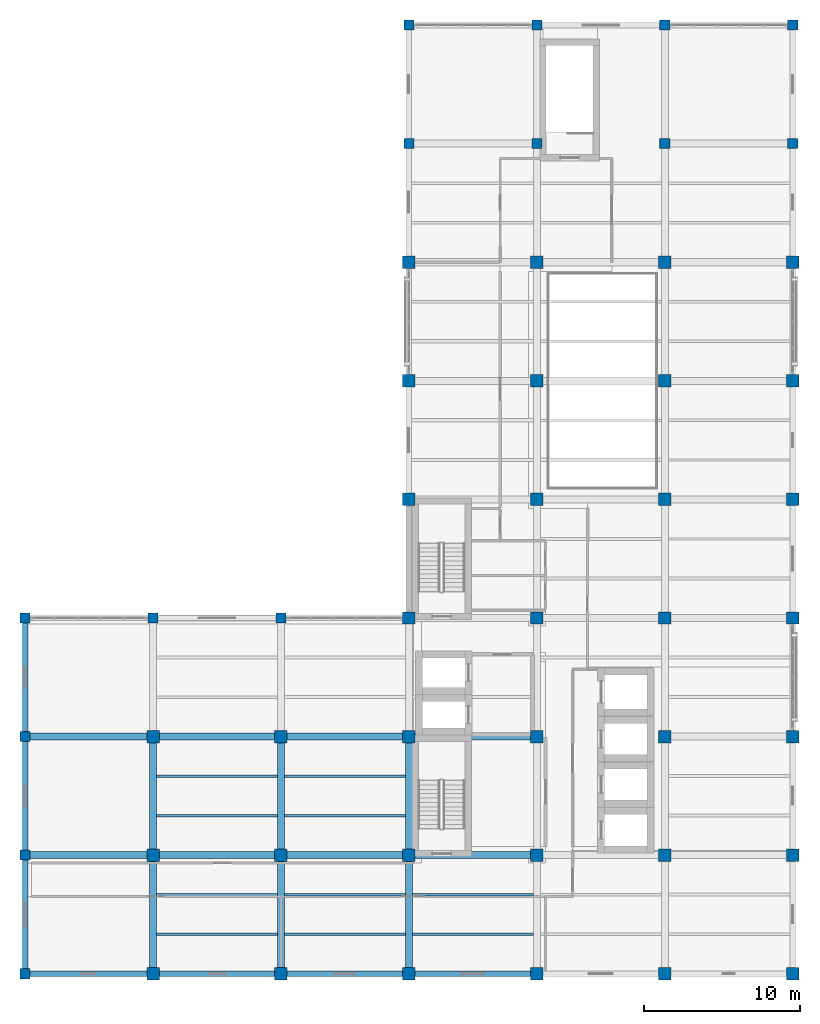
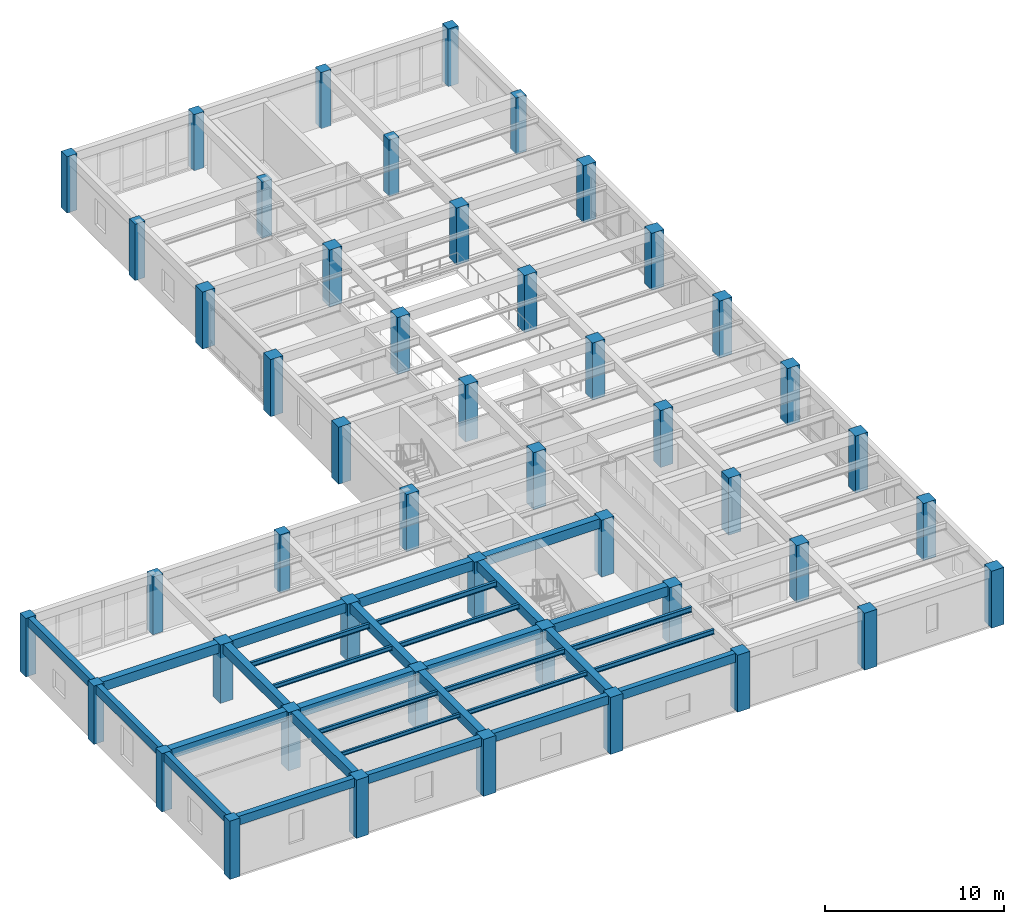
# One storey, part 1 of 15: 48 columns, 31 beams.
"""IFC4 building model written with IfcOpenShell, lengths in metres."""

from ifc_helpers import new_model, si_unit, direction, frame, origin, origin_2d, place, context, subcontext, project, spatial, rectangle, i_section, extrude, material, material_profile, profile_set, type_object, element, save


model = new_model("IFC4")

# Units and contexts
model_context = context("Model", 3, precision=1e-05, world=origin(), true_north=direction((0.0, 1.0)))
body_context = subcontext(model_context, "Body", "Model", "MODEL_VIEW")
ifc_project = project(units=[si_unit("LENGTHUNIT", "METRE"), si_unit("AREAUNIT", "SQUARE_METRE"), si_unit("VOLUMEUNIT", "CUBIC_METRE"), si_unit("PLANEANGLEUNIT", "RADIAN"), si_unit("MASSUNIT", "GRAM", prefix="KILO")], contexts=[model_context])

# Site, building, storey
site_placement = place(None, origin())
site = spatial("IfcSite", under=ifc_project, at=site_placement, CompositionType="ELEMENT")
building_placement = place(site_placement, origin())
building = spatial("IfcBuilding", under=site, at=building_placement, Name="Qandaris Square Conservatory and Botanical Centre", CompositionType="ELEMENT")
storey_placement = place(building_placement, frame((0.0, 0.0, 32.39990234375)))
storey = spatial("IfcBuildingStorey", under=building, at=storey_placement, Name="L07", CompositionType="ELEMENT", Elevation=32.39990234375)

# Columns
ifc_material_1 = material(Name="Concrete C50/60", Category="concrete")
ifc_material_profile_1 = material_profile(ifc_material_1, rectangle(XDim=0.64990234375, YDim=0.64990234375, at=origin_2d()), Name="RC-COL 650x650")
ifc_profile_set_1 = profile_set([ifc_material_profile_1], Name="Concrete C50/60")
column_type_1 = type_object("IfcColumnType", Name="RC Column 650x650", PredefinedType="COLUMN", material=ifc_profile_set_1)
for number, where, z_axis, x_axis, name in (
    (1, (114.60009765625, 16.60009765625, 0.0), (0.0, 0.0, 1.0), (1.0, 0.0, 0.0), "Column B14 (L07)"),
    (2, (114.60009765625, 24.199951171875, 0.0), (0.0, 0.0, 1.0), (1.0, 0.0, 0.0), "Column C14 (L07)"),
    (3, (114.60009765625, 31.800048828125, 0.0), (0.0, 0.0, 1.0), (1.0, 0.0, 0.0), "Column D14 (L07)"),
    (4, (114.60009765625, 39.39990234375, 0.0), (0.0, 0.0, 1.0), (1.0, 0.0, 0.0), "Column E14 (L07)"),
):
    element("IfcColumn", number, at=place(storey_placement, frame(where, z_axis=z_axis, x_axis=x_axis)), inside=storey, type_object=column_type_1, Name=name, PredefinedType="COLUMN", context=body_context, shape_type="SweptSolid", body=[
        extrude(rectangle(XDim=0.64990234375, YDim=0.64990234375, at=origin_2d()), origin(), (0.0, 0.0, 1.0), 3.985107421875),
    ])
for number, where, z_axis, x_axis, name in (
    (5, (122.800048828125, 39.39990234375, 0.0), (0.0, 0.0, 1.0), (1.0, 0.0, 0.0), "Column E15 (L07)"),
    (6, (131.0, 39.39990234375, 0.0), (0.0, 0.0, 1.0), (1.0, 0.0, 0.0), "Column E16 (L07)"),
):
    element("IfcColumn", number, at=place(storey_placement, frame(where, z_axis=z_axis, x_axis=x_axis)), inside=storey, type_object=column_type_1, Name=name, PredefinedType="COLUMN", context=body_context, shape_type="SweptSolid", body=[
        extrude(rectangle(XDim=0.64990234375, YDim=0.64990234375, at=origin_2d()), origin(), (0.0, 0.0, 1.0), 3.945068359375),
    ])
for number, where, z_axis, x_axis, name in (
    (7, (139.199951171875, 69.800048828125, 0.0), (0.0, 0.0, 1.0), (1.0, 0.0, 0.0), "Column J17 (L07)"),
    (8, (139.199951171875, 77.39990234375, 0.0), (0.0, 0.0, 1.0), (1.0, 0.0, 0.0), "Column K17 (L07)"),
    (9, (147.39990234375, 69.800048828125, 0.0), (0.0, 0.0, 1.0), (1.0, 0.0, 0.0), "Column J18 (L07)"),
    (10, (147.39990234375, 77.39990234375, 0.0), (0.0, 0.0, 1.0), (1.0, 0.0, 0.0), "Column K18 (L07)"),
    (11, (155.60009765625, 69.800048828125, 0.0), (0.0, 0.0, 1.0), (1.0, 0.0, 0.0), "Column J19 (L07)"),
    (12, (155.60009765625, 77.39990234375, 0.0), (0.0, 0.0, 1.0), (1.0, 0.0, 0.0), "Column K19 (L07)"),
    (13, (163.800048828125, 69.800048828125, 0.0), (0.0, 0.0, 1.0), (1.0, 0.0, 0.0), "Column J20 (L07)"),
):
    element("IfcColumn", number, at=place(storey_placement, frame(where, z_axis=z_axis, x_axis=x_axis)), inside=storey, type_object=column_type_1, Name=name, PredefinedType="COLUMN", context=body_context, shape_type="SweptSolid", body=[
        extrude(rectangle(XDim=0.64990234375, YDim=0.64990234375, at=origin_2d()), origin(), (0.0, 0.0, 1.0), 3.840087890625),
    ])
column_placement = place(storey_placement, frame((163.800048828125, 77.39990234375, 0.0), z_axis=(0.0, 0.0, 1.0), x_axis=(1.0, 0.0, 0.0)))
element("IfcColumn", 14, at=column_placement, inside=storey, type_object=column_type_1, Name="Column K20 (L07)", PredefinedType="COLUMN", context=body_context, shape_type="SweptSolid", body=[
    extrude(rectangle(XDim=0.64990234375, YDim=0.64990234375, at=origin_2d()), origin(), (0.0, 0.0, 1.0), 3.945068359375),
])
ifc_material_profile_2 = material_profile(ifc_material_1, rectangle(XDim=0.800048828125, YDim=0.800048828125, at=origin_2d()), Name="RC-COL 800x800")
ifc_profile_set_2 = profile_set([ifc_material_profile_2], Name="Concrete C50/60")
column_type_2 = type_object("IfcColumnType", Name="RC Column 800x800", PredefinedType="COLUMN", material=ifc_profile_set_2)
for number, where, z_axis, x_axis, name in (
    (15, (122.800048828125, 16.60009765625, 0.0), (0.0, 0.0, 1.0), (1.0, 0.0, 0.0), "Column B15 (L07)"),
    (16, (122.800048828125, 24.199951171875, 0.0), (0.0, 0.0, 1.0), (1.0, 0.0, 0.0), "Column C15 (L07)"),
    (17, (122.800048828125, 31.800048828125, 0.0), (0.0, 0.0, 1.0), (1.0, 0.0, 0.0), "Column D15 (L07)"),
):
    element("IfcColumn", number, at=place(storey_placement, frame(where, z_axis=z_axis, x_axis=x_axis)), inside=storey, type_object=column_type_2, Name=name, PredefinedType="COLUMN", context=body_context, shape_type="SweptSolid", body=[
        extrude(rectangle(XDim=0.800048828125, YDim=0.800048828125, at=origin_2d()), origin(), (0.0, 0.0, 1.0), 3.985107421875),
    ])
for number, where, z_axis, x_axis, name in (
    (18, (131.0, 16.60009765625, 0.0), (0.0, 0.0, 1.0), (1.0, 0.0, 0.0), "Column B16 (L07)"),
    (19, (131.0, 24.199951171875, 0.0), (0.0, 0.0, 1.0), (1.0, 0.0, 0.0), "Column C16 (L07)"),
    (20, (131.0, 31.800048828125, 0.0), (0.0, 0.0, 1.0), (1.0, 0.0, 0.0), "Column D16 (L07)"),
    (21, (139.199951171875, 16.60009765625, 0.0), (0.0, 0.0, 1.0), (1.0, 0.0, 0.0), "Column B17 (L07)"),
    (22, (139.199951171875, 24.199951171875, 0.0), (0.0, 0.0, 1.0), (1.0, 0.0, 0.0), "Column C17 (L07)"),
    (23, (139.199951171875, 31.800048828125, 0.0), (0.0, 0.0, 1.0), (1.0, 0.0, 0.0), "Column D17 (L07)"),
    (24, (139.199951171875, 39.39990234375, 0.0), (0.0, 0.0, 1.0), (1.0, 0.0, 0.0), "Column E17 (L07)"),
    (25, (139.199951171875, 47.0, 0.0), (0.0, 0.0, 1.0), (1.0, 0.0, 0.0), "Column F17 (L07)"),
    (26, (139.199951171875, 54.60009765625, 0.0), (0.0, 0.0, 1.0), (1.0, 0.0, 0.0), "Column G17 (L07)"),
    (27, (139.199951171875, 62.199951171875, 0.0), (0.0, 0.0, 1.0), (1.0, 0.0, 0.0), "Column H17 (L07)"),
    (28, (147.39990234375, 16.60009765625, 0.0), (0.0, 0.0, 1.0), (1.0, 0.0, 0.0), "Column B18 (L07)"),
    (29, (147.39990234375, 24.199951171875, 0.0), (0.0, 0.0, 1.0), (1.0, 0.0, 0.0), "Column C18 (L07)"),
    (30, (147.39990234375, 31.800048828125, 0.0), (0.0, 0.0, 1.0), (1.0, 0.0, 0.0), "Column D18 (L07)"),
    (31, (147.39990234375, 39.39990234375, 0.0), (0.0, 0.0, 1.0), (1.0, 0.0, 0.0), "Column E18 (L07)"),
    (32, (147.39990234375, 47.0, 0.0), (0.0, 0.0, 1.0), (1.0, 0.0, 0.0), "Column F18 (L07)"),
    (33, (147.39990234375, 54.60009765625, 0.0), (0.0, 0.0, 1.0), (1.0, 0.0, 0.0), "Column G18 (L07)"),
    (34, (147.39990234375, 62.199951171875, 0.0), (0.0, 0.0, 1.0), (1.0, 0.0, 0.0), "Column H18 (L07)"),
    (35, (155.60009765625, 16.60009765625, 0.0), (0.0, 0.0, 1.0), (1.0, 0.0, 0.0), "Column B19 (L07)"),
    (36, (155.60009765625, 24.199951171875, 0.0), (0.0, 0.0, 1.0), (1.0, 0.0, 0.0), "Column C19 (L07)"),
    (37, (155.60009765625, 31.800048828125, 0.0), (0.0, 0.0, 1.0), (1.0, 0.0, 0.0), "Column D19 (L07)"),
    (38, (155.60009765625, 39.39990234375, 0.0), (0.0, 0.0, 1.0), (1.0, 0.0, 0.0), "Column E19 (L07)"),
    (39, (155.60009765625, 47.0, 0.0), (0.0, 0.0, 1.0), (1.0, 0.0, 0.0), "Column F19 (L07)"),
    (40, (155.60009765625, 54.60009765625, 0.0), (0.0, 0.0, 1.0), (1.0, 0.0, 0.0), "Column G19 (L07)"),
    (41, (155.60009765625, 62.199951171875, 0.0), (0.0, 0.0, 1.0), (1.0, 0.0, 0.0), "Column H19 (L07)"),
    (42, (163.800048828125, 16.60009765625, 0.0), (0.0, 0.0, 1.0), (1.0, 0.0, 0.0), "Column B20 (L07)"),
    (43, (163.800048828125, 24.199951171875, 0.0), (0.0, 0.0, 1.0), (1.0, 0.0, 0.0), "Column C20 (L07)"),
    (44, (163.800048828125, 31.800048828125, 0.0), (0.0, 0.0, 1.0), (1.0, 0.0, 0.0), "Column D20 (L07)"),
    (45, (163.800048828125, 39.39990234375, 0.0), (0.0, 0.0, 1.0), (1.0, 0.0, 0.0), "Column E20 (L07)"),
    (46, (163.800048828125, 47.0, 0.0), (0.0, 0.0, 1.0), (1.0, 0.0, 0.0), "Column F20 (L07)"),
    (47, (163.800048828125, 54.60009765625, 0.0), (0.0, 0.0, 1.0), (1.0, 0.0, 0.0), "Column G20 (L07)"),
    (48, (163.800048828125, 62.199951171875, 0.0), (0.0, 0.0, 1.0), (1.0, 0.0, 0.0), "Column H20 (L07)"),
):
    element("IfcColumn", number, at=place(storey_placement, frame(where, z_axis=z_axis, x_axis=x_axis)), inside=storey, type_object=column_type_2, Name=name, PredefinedType="COLUMN", context=body_context, shape_type="SweptSolid", body=[
        extrude(rectangle(XDim=0.800048828125, YDim=0.800048828125, at=origin_2d()), origin(), (0.0, 0.0, 1.0), 3.89013671875),
    ])

# Beams
ifc_material_2 = material(Name="Steel S355", Category="steel")
ifc_material_profile_3 = material_profile(ifc_material_2, i_section(OverallWidth=0.14990234375, OverallDepth=0.300048828125, WebThickness=0.007080078125, FlangeThickness=0.0107421875, FilletRadius=0.014892578125, at=origin_2d()), Name="IPE 300")
ifc_profile_set_3 = profile_set([ifc_material_profile_3], Name="Steel S355")
beam_type_1 = type_object("IfcBeamType", Name="Composite Lab Joist IPE 300", PredefinedType="JOIST", material=ifc_profile_set_3)
for number, where, z_axis, x_axis, name in (
    (49, (123.02490234375, 21.666748046875, 3.72998046875), (1.0, 0.0, 0.0), (0.0, 1.0, 0.0), "L07 Composite Joist 2165"),
    (50, (123.02490234375, 26.7333984375, 3.72998046875), (1.0, 0.0, 0.0), (0.0, 1.0, 0.0), "L07 Composite Joist 2166"),
    (51, (131.22509765625, 19.13330078125, 3.72998046875), (1.0, 0.0, 0.0), (0.0, 1.0, 0.0), "L07 Composite Joist 2170"),
):
    element("IfcBeam", number, at=place(storey_placement, frame(where, z_axis=z_axis, x_axis=x_axis)), inside=storey, type_object=beam_type_1, Name=name, PredefinedType="JOIST", context=body_context, shape_type="SweptSolid", body=[
        extrude(i_section(OverallWidth=0.14990234375, OverallDepth=0.300048828125, WebThickness=0.007080078125, FlangeThickness=0.0107421875, FilletRadius=0.014892578125, at=origin_2d()), origin(), (0.0, 0.0, 1.0), 7.75),
    ])
ifc_material_profile_4 = material_profile(ifc_material_2, i_section(OverallWidth=0.159912109375, OverallDepth=0.330078125, WebThickness=0.007568359375, FlangeThickness=0.011474609375, FilletRadius=0.01806640625, at=origin_2d()), Name="IPE 330")
ifc_profile_set_4 = profile_set([ifc_material_profile_4], Name="Steel S355")
beam_type_2 = type_object("IfcBeamType", Name="Composite Lab Joist IPE 330", PredefinedType="JOIST", material=ifc_profile_set_4)
for number, where, z_axis, x_axis, name in (
    (52, (123.02490234375, 29.2666015625, 3.715087890625), (1.0, 0.0, 0.0), (0.0, 1.0, 0.0), "L07 Composite Joist 2167"),
    (53, (131.22509765625, 21.666748046875, 3.715087890625), (1.0, 0.0, 0.0), (0.0, 1.0, 0.0), "L07 Composite Joist 2171"),
    (54, (131.22509765625, 26.7333984375, 3.715087890625), (1.0, 0.0, 0.0), (0.0, 1.0, 0.0), "L07 Composite Joist 2172"),
    (55, (139.425048828125, 19.13330078125, 3.715087890625), (1.0, 0.0, 0.0), (0.0, 1.0, 0.0), "L07 Composite Joist 2176"),
):
    element("IfcBeam", number, at=place(storey_placement, frame(where, z_axis=z_axis, x_axis=x_axis)), inside=storey, type_object=beam_type_2, Name=name, PredefinedType="JOIST", context=body_context, shape_type="SweptSolid", body=[
        extrude(i_section(OverallWidth=0.159912109375, OverallDepth=0.330078125, WebThickness=0.007568359375, FlangeThickness=0.011474609375, FilletRadius=0.01806640625, at=origin_2d()), origin(), (0.0, 0.0, 1.0), 7.75),
    ])
ifc_material_profile_5 = material_profile(ifc_material_2, i_section(OverallWidth=0.169921875, OverallDepth=0.360107421875, WebThickness=0.008056640625, FlangeThickness=0.0126953125, FilletRadius=0.01806640625, at=origin_2d()), Name="IPE 360")
ifc_profile_set_5 = profile_set([ifc_material_profile_5], Name="Steel S355")
beam_type_3 = type_object("IfcBeamType", Name="Composite Lab Joist IPE 360", PredefinedType="JOIST", material=ifc_profile_set_5)
for number, where, z_axis, x_axis, name in (
    (56, (131.22509765625, 29.2666015625, 3.7001953125), (1.0, 0.0, 0.0), (0.0, 1.0, 0.0), "L07 Composite Joist 2173"),
    (57, (139.425048828125, 21.666748046875, 3.7001953125), (1.0, 0.0, 0.0), (0.0, 1.0, 0.0), "L07 Composite Joist 2177"),
):
    element("IfcBeam", number, at=place(storey_placement, frame(where, z_axis=z_axis, x_axis=x_axis)), inside=storey, type_object=beam_type_3, Name=name, PredefinedType="JOIST", context=body_context, shape_type="SweptSolid", body=[
        extrude(i_section(OverallWidth=0.169921875, OverallDepth=0.360107421875, WebThickness=0.008056640625, FlangeThickness=0.0126953125, FilletRadius=0.01806640625, at=origin_2d()), origin(), (0.0, 0.0, 1.0), 7.75),
    ])
ifc_material_profile_6 = material_profile(ifc_material_1, rectangle(XDim=0.35009765625, YDim=0.60009765625, at=origin_2d()), Name="RC-SP 350x600")
ifc_profile_set_6 = profile_set([ifc_material_profile_6], Name="Concrete C50/60")
beam_type_4 = type_object("IfcBeamType", Name="RC Edge Spandrel Beam 350x600", PredefinedType="SPANDREL", material=ifc_profile_set_6)
for number, where, z_axis, x_axis, name in (
    (58, (114.60009765625, 16.60009765625, 3.68505859375), (1.0, 0.0, 0.0), (0.0, 1.0, 0.0), "L07 Frame Beam 2086"),
    (59, (122.800048828125, 16.60009765625, 3.590087890625), (1.0, 0.0, 0.0), (0.0, 1.0, 0.0), "L07 Frame Beam 2087"),
    (60, (131.0, 16.60009765625, 3.590087890625), (1.0, 0.0, 0.0), (0.0, 1.0, 0.0), "L07 Frame Beam 2088"),
    (61, (139.199951171875, 16.60009765625, 3.590087890625), (1.0, 0.0, 0.0), (0.0, 1.0, 0.0), "L07 Frame Beam 2089"),
):
    element("IfcBeam", number, at=place(storey_placement, frame(where, z_axis=z_axis, x_axis=x_axis)), inside=storey, type_object=beam_type_4, Name=name, PredefinedType="SPANDREL", context=body_context, shape_type="SweptSolid", body=[
        extrude(rectangle(XDim=0.35009765625, YDim=0.60009765625, at=origin_2d()), origin(), (0.0, 0.0, 1.0), 8.199951171875),
    ])
beam_1_placement = place(storey_placement, frame((114.60009765625, 16.60009765625, 3.68505859375), z_axis=(0.0, 1.0, 0.0), x_axis=(-1.0, 0.0, 0.0)))
element("IfcBeam", 62, at=beam_1_placement, inside=storey, type_object=beam_type_4, Name="L07 Frame Beam 2123", PredefinedType="SPANDREL", context=body_context, shape_type="SweptSolid", body=[
    extrude(rectangle(XDim=0.35009765625, YDim=0.60009765625, at=origin_2d()), origin(), (0.0, 0.0, 1.0), 7.599853515625),
])
beam_2_placement = place(storey_placement, frame((114.60009765625, 24.199951171875, 3.68505859375), z_axis=(0.0, 1.0, 0.0), x_axis=(-1.0, 0.0, 0.0)))
element("IfcBeam", 63, at=beam_2_placement, inside=storey, type_object=beam_type_4, Name="L07 Frame Beam 2124", PredefinedType="SPANDREL", context=body_context, shape_type="SweptSolid", body=[
    extrude(rectangle(XDim=0.35009765625, YDim=0.60009765625, at=origin_2d()), origin(), (0.0, 0.0, 1.0), 7.60009765625),
])
beam_3_placement = place(storey_placement, frame((114.60009765625, 31.800048828125, 3.68505859375), z_axis=(0.0, 1.0, 0.0), x_axis=(-1.0, 0.0, 0.0)))
element("IfcBeam", 64, at=beam_3_placement, inside=storey, type_object=beam_type_4, Name="L07 Frame Beam 2125", PredefinedType="SPANDREL", context=body_context, shape_type="SweptSolid", body=[
    extrude(rectangle(XDim=0.35009765625, YDim=0.60009765625, at=origin_2d()), origin(), (0.0, 0.0, 1.0), 7.599853515625),
])
ifc_material_profile_7 = material_profile(ifc_material_1, rectangle(XDim=0.449951171875, YDim=0.64990234375, at=origin_2d()), Name="RC-BM 450x650")
ifc_profile_set_7 = profile_set([ifc_material_profile_7], Name="Concrete C50/60")
beam_type_5 = type_object("IfcBeamType", Name="RC Floor Girder 450x650", PredefinedType="BEAM", material=ifc_profile_set_7)
for number, where, z_axis, x_axis, name in (
    (65, (114.60009765625, 24.199951171875, 3.66015625), (1.0, 0.0, 0.0), (0.0, 1.0, 0.0), "L07 Frame Beam 2092"),
    (66, (122.800048828125, 24.199951171875, 3.565185546875), (1.0, 0.0, 0.0), (0.0, 1.0, 0.0), "L07 Frame Beam 2093"),
    (67, (131.0, 24.199951171875, 3.565185546875), (1.0, 0.0, 0.0), (0.0, 1.0, 0.0), "L07 Frame Beam 2094"),
    (68, (139.199951171875, 24.199951171875, 3.565185546875), (1.0, 0.0, 0.0), (0.0, 1.0, 0.0), "L07 Frame Beam 2095"),
    (69, (114.60009765625, 31.800048828125, 3.66015625), (1.0, 0.0, 0.0), (0.0, 1.0, 0.0), "L07 Frame Beam 2098"),
    (70, (122.800048828125, 31.800048828125, 3.565185546875), (1.0, 0.0, 0.0), (0.0, 1.0, 0.0), "L07 Frame Beam 2099"),
    (71, (131.0, 31.800048828125, 3.565185546875), (1.0, 0.0, 0.0), (0.0, 1.0, 0.0), "L07 Frame Beam 2100"),
    (72, (139.199951171875, 31.800048828125, 3.565185546875), (1.0, 0.0, 0.0), (0.0, 1.0, 0.0), "L07 Frame Beam 2101"),
):
    element("IfcBeam", number, at=place(storey_placement, frame(where, z_axis=z_axis, x_axis=x_axis)), inside=storey, type_object=beam_type_5, Name=name, PredefinedType="BEAM", context=body_context, shape_type="SweptSolid", body=[
        extrude(rectangle(XDim=0.449951171875, YDim=0.64990234375, at=origin_2d()), origin(), (0.0, 0.0, 1.0), 8.199951171875),
    ])
beam_4_placement = place(storey_placement, frame((122.800048828125, 16.60009765625, 3.66015625), z_axis=(0.0, 1.0, 0.0), x_axis=(-1.0, 0.0, 0.0)))
element("IfcBeam", 73, at=beam_4_placement, inside=storey, type_object=beam_type_5, Name="L07 Frame Beam 2126", PredefinedType="BEAM", context=body_context, shape_type="SweptSolid", body=[
    extrude(rectangle(XDim=0.449951171875, YDim=0.64990234375, at=origin_2d()), origin(), (0.0, 0.0, 1.0), 7.599853515625),
])
beam_5_placement = place(storey_placement, frame((122.800048828125, 24.199951171875, 3.66015625), z_axis=(0.0, 1.0, 0.0), x_axis=(-1.0, 0.0, 0.0)))
element("IfcBeam", 74, at=beam_5_placement, inside=storey, type_object=beam_type_5, Name="L07 Frame Beam 2127", PredefinedType="BEAM", context=body_context, shape_type="SweptSolid", body=[
    extrude(rectangle(XDim=0.449951171875, YDim=0.64990234375, at=origin_2d()), origin(), (0.0, 0.0, 1.0), 7.60009765625),
])
beam_6_placement = place(storey_placement, frame((131.0, 16.60009765625, 3.565185546875), z_axis=(0.0, 1.0, 0.0), x_axis=(-1.0, 0.0, 0.0)))
element("IfcBeam", 75, at=beam_6_placement, inside=storey, type_object=beam_type_5, Name="L07 Frame Beam 2129", PredefinedType="BEAM", context=body_context, shape_type="SweptSolid", body=[
    extrude(rectangle(XDim=0.449951171875, YDim=0.64990234375, at=origin_2d()), origin(), (0.0, 0.0, 1.0), 7.599853515625),
])
beam_7_placement = place(storey_placement, frame((131.0, 24.199951171875, 3.565185546875), z_axis=(0.0, 1.0, 0.0), x_axis=(-1.0, 0.0, 0.0)))
element("IfcBeam", 76, at=beam_7_placement, inside=storey, type_object=beam_type_5, Name="L07 Frame Beam 2130", PredefinedType="BEAM", context=body_context, shape_type="SweptSolid", body=[
    extrude(rectangle(XDim=0.449951171875, YDim=0.64990234375, at=origin_2d()), origin(), (0.0, 0.0, 1.0), 7.60009765625),
])
beam_8_placement = place(storey_placement, frame((139.199951171875, 16.60009765625, 3.565185546875), z_axis=(0.0, 1.0, 0.0), x_axis=(-1.0, 0.0, 0.0)))
element("IfcBeam", 77, at=beam_8_placement, inside=storey, type_object=beam_type_5, Name="L07 Frame Beam 2132", PredefinedType="BEAM", context=body_context, shape_type="SweptSolid", body=[
    extrude(rectangle(XDim=0.449951171875, YDim=0.64990234375, at=origin_2d()), origin(), (0.0, 0.0, 1.0), 7.599853515625),
])
beam_9_placement = place(storey_placement, frame((139.199951171875, 24.199951171875, 3.565185546875), z_axis=(0.0, 1.0, 0.0), x_axis=(-1.0, 0.0, 0.0)))
element("IfcBeam", 78, at=beam_9_placement, inside=storey, type_object=beam_type_5, Name="L07 Frame Beam 2133", PredefinedType="BEAM", context=body_context, shape_type="SweptSolid", body=[
    extrude(rectangle(XDim=0.449951171875, YDim=0.64990234375, at=origin_2d()), origin(), (0.0, 0.0, 1.0), 7.60009765625),
])
ifc_material_profile_8 = material_profile(ifc_material_2, i_section(OverallWidth=0.135009765625, OverallDepth=0.27001953125, WebThickness=0.006591796875, FlangeThickness=0.01025390625, FilletRadius=0.014892578125, at=origin_2d()), Name="IPE 270")
ifc_profile_set_8 = profile_set([ifc_material_profile_8], Name="Steel S355")
beam_type_6 = type_object("IfcBeamType", Name="Steel Floor Joist IPE 270", PredefinedType="JOIST", material=ifc_profile_set_8)
beam_10_placement = place(storey_placement, frame((123.02490234375, 19.13330078125, 3.7451171875), z_axis=(1.0, 0.0, 0.0), x_axis=(0.0, 1.0, 0.0)))
element("IfcBeam", 79, at=beam_10_placement, inside=storey, type_object=beam_type_6, Name="L07 Composite Joist 2164", PredefinedType="JOIST", context=body_context, shape_type="SweptSolid", body=[
    extrude(i_section(OverallWidth=0.135009765625, OverallDepth=0.27001953125, WebThickness=0.006591796875, FlangeThickness=0.01025390625, FilletRadius=0.014892578125, at=origin_2d()), origin(), (0.0, 0.0, 1.0), 7.75),
])

save(model, "model.ifc")
